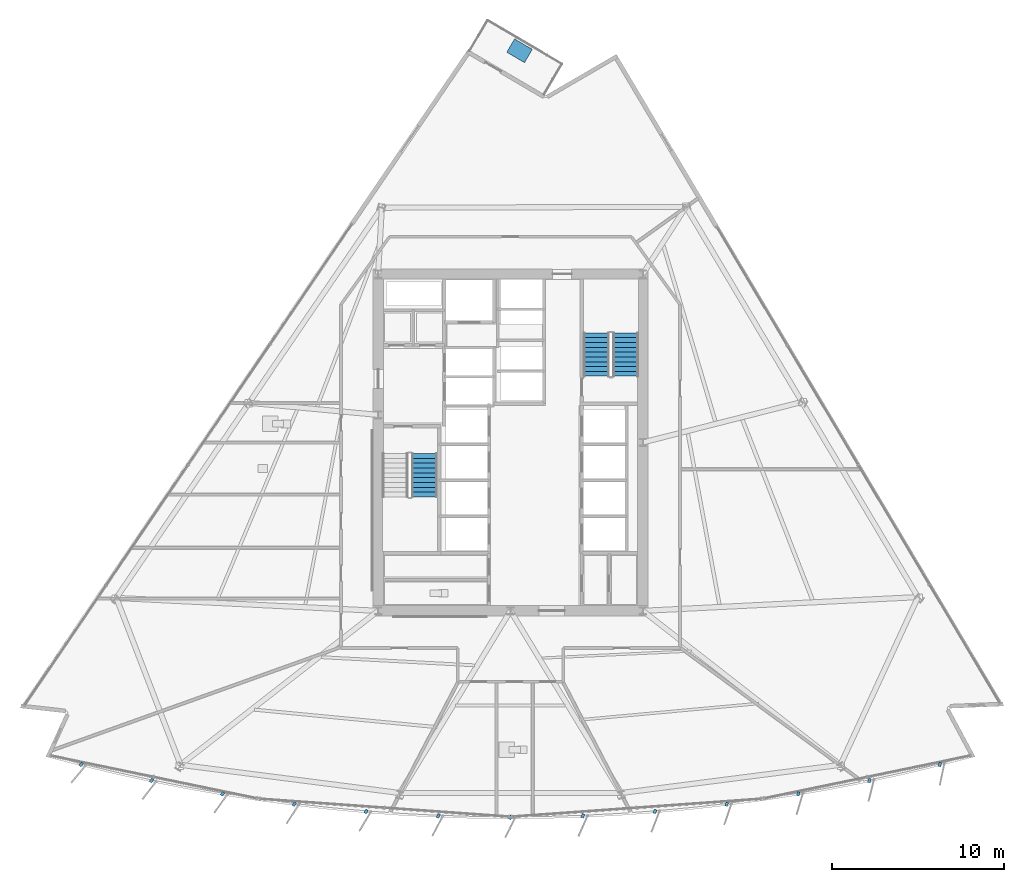
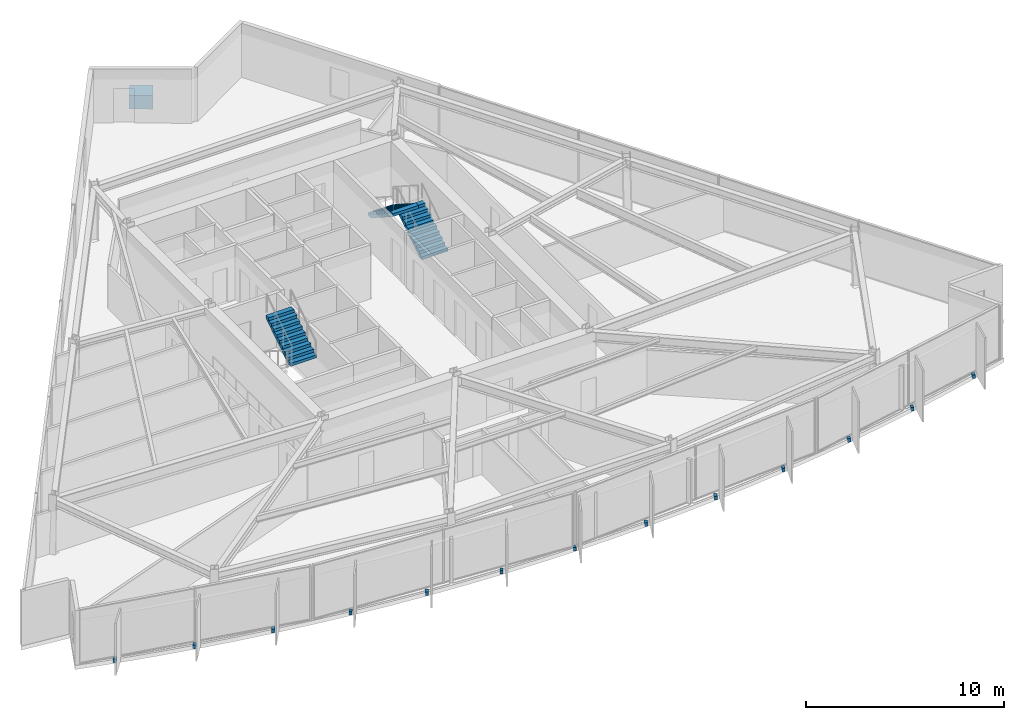
# One storey, part 10 of 15: 14 discrete accessories, 3 stair flights, 2 elements without a shape of their own.
"""IFC4 building model written with IfcOpenShell, lengths in metres."""

from ifc_helpers import new_model, si_unit, direction, frame, origin, origin_2d, place, context, subcontext, project, spatial, polyline, rectangle, outline, extrude, material, type_object, element, aggregate, save


model = new_model("IFC4")

# Units and contexts
model_context = context("Model", 3, precision=1e-05, world=origin(), true_north=direction((0.0, 1.0)))
body_context = subcontext(model_context, "Body", "Model", "MODEL_VIEW")
ifc_project = project(units=[si_unit("LENGTHUNIT", "METRE"), si_unit("AREAUNIT", "SQUARE_METRE"), si_unit("VOLUMEUNIT", "CUBIC_METRE"), si_unit("PLANEANGLEUNIT", "RADIAN"), si_unit("MASSUNIT", "GRAM", prefix="KILO")], contexts=[model_context])

# Site, building, storey
site_placement = place(None, origin())
site = spatial("IfcSite", under=ifc_project, at=site_placement, CompositionType="ELEMENT")
building_placement = place(site_placement, origin())
building = spatial("IfcBuilding", under=site, at=building_placement, Name="Savorim Split Tower", CompositionType="ELEMENT")
storey_placement = place(building_placement, frame((0.0, 0.0, 82.5)))
storey = spatial("IfcBuildingStorey", under=building, at=storey_placement, Name="L21", CompositionType="ELEMENT", Elevation=82.5)

# Stair, stair flight
ifc_material_1 = material(Name="Concrete C50/60", Category="concrete")
stair_type = type_object("IfcStairType", Name="STR-DOG-3600", PredefinedType="HALF_TURN_STAIR", material=ifc_material_1)
stair_1_placement = place(storey_placement, origin())
stair_1 = element("IfcStair", 1, at=stair_1_placement, inside=storey, type_object=stair_type, Name="L21 Core Protected Exit Stair ST-1", PredefinedType="HALF_TURN_STAIR")
stair_flight_type = type_object("IfcStairFlightType", Name="SFL-DOG-3600", PredefinedType="STRAIGHT", material=ifc_material_1)
stair_flight_1_placement = place(storey_placement, frame((-5.0, -2.77001953125, 1.800048828125), z_axis=(0.0, 0.0, 1.0), x_axis=(0.0, 1.0, 0.0)))
stair_flight_1 = element("IfcStairFlight", 2, at=stair_flight_1_placement, type_object=stair_flight_type, Name="ST-1 flight 2", NumberOfRisers=10, NumberOfTreads=9, PredefinedType="STRAIGHT", RiserHeight=0.18, TreadLength=0.28, context=body_context, shape_type="SweptSolid", body=[
    extrude(outline(polyline([(0.0, 0.0), (0.0, 0.179931640625), (0.280029296875, 0.179931640625), (0.280029296875, 0.360107421875), (0.56005859375, 0.360107421875), (0.56005859375, 0.5400390625), (0.840087890625, 0.5400390625), (0.840087890625, 0.719970703125), (1.1201171875, 0.719970703125), (1.1201171875, 0.89990234375), (1.39990234375, 0.89990234375), (1.39990234375, 1.080078125), (1.679931640625, 1.080078125), (1.679931640625, 1.260009765625), (1.9599609375, 1.260009765625), (1.9599609375, 1.43994140625), (2.239990234375, 1.43994140625), (2.239990234375, 1.6201171875), (2.52001953125, 1.6201171875), (2.52001953125, 1.800048828125), (2.52001953125, 1.44189453125), (0.277099609375, 0.0), (0.0, 0.0)])), frame((0.0, 0.75, 0.0), z_axis=(0.0, -1.0, 0.0), x_axis=(1.0, 0.0, 0.0)), (0.0, 0.0, 1.0), 1.5),
])
aggregate(stair_1, [stair_flight_1])

# Stair, stair flights
stair_2_placement = place(storey_placement, origin())
stair_2 = element("IfcStair", 3, at=stair_2_placement, inside=storey, type_object=stair_type, Name="L21 Core Protected Exit Stair ST-2", PredefinedType="HALF_TURN_STAIR")
stair_flight_2_placement = place(storey_placement, frame((6.699951171875, 4.25, 0.0), z_axis=(0.0, 0.0, 1.0), x_axis=(0.0, 1.0, 0.0)))
stair_flight_2 = element("IfcStairFlight", 4, at=stair_flight_2_placement, type_object=stair_flight_type, Name="ST-2 flight 1", NumberOfRisers=10, NumberOfTreads=9, PredefinedType="STRAIGHT", RiserHeight=0.18, TreadLength=0.28, context=body_context, shape_type="SweptSolid", body=[
    extrude(outline(polyline([(0.0, 0.0), (0.0, 0.179931640625), (0.280029296875, 0.179931640625), (0.280029296875, 0.360107421875), (0.56005859375, 0.360107421875), (0.56005859375, 0.5400390625), (0.840087890625, 0.5400390625), (0.840087890625, 0.719970703125), (1.1201171875, 0.719970703125), (1.1201171875, 0.89990234375), (1.39990234375, 0.89990234375), (1.39990234375, 1.080078125), (1.679931640625, 1.080078125), (1.679931640625, 1.260009765625), (1.9599609375, 1.260009765625), (1.9599609375, 1.43994140625), (2.239990234375, 1.43994140625), (2.239990234375, 1.6201171875), (2.52001953125, 1.6201171875), (2.52001953125, 1.800048828125), (2.52001953125, 1.44189453125), (0.277099609375, 0.0), (0.0, 0.0)])), frame((0.0, 0.75, 0.0), z_axis=(0.0, -1.0, 0.0), x_axis=(1.0, 0.0, 0.0)), (0.0, 0.0, 1.0), 1.5),
])
stair_flight_3_placement = place(storey_placement, frame((5.0, 6.77001953125, 1.800048828125), z_axis=(0.0, 0.0, 1.0), x_axis=(0.0, -1.0, 0.0)))
stair_flight_3 = element("IfcStairFlight", 5, at=stair_flight_3_placement, type_object=stair_flight_type, Name="ST-2 flight 2", NumberOfRisers=10, NumberOfTreads=9, PredefinedType="STRAIGHT", RiserHeight=0.18, TreadLength=0.28, context=body_context, shape_type="SweptSolid", body=[
    extrude(outline(polyline([(0.0, 0.0), (0.0, 0.179931640625), (0.280029296875, 0.179931640625), (0.280029296875, 0.360107421875), (0.56005859375, 0.360107421875), (0.56005859375, 0.5400390625), (0.840087890625, 0.5400390625), (0.840087890625, 0.719970703125), (1.1201171875, 0.719970703125), (1.1201171875, 0.89990234375), (1.39990234375, 0.89990234375), (1.39990234375, 1.080078125), (1.679931640625, 1.080078125), (1.679931640625, 1.260009765625), (1.9599609375, 1.260009765625), (1.9599609375, 1.43994140625), (2.239990234375, 1.43994140625), (2.239990234375, 1.6201171875), (2.52001953125, 1.6201171875), (2.52001953125, 1.800048828125), (2.52001953125, 1.44189453125), (0.277099609375, 0.0), (0.0, 0.0)])), frame((0.0, 0.75, 0.0), z_axis=(0.0, -1.0, 0.0), x_axis=(1.0, 0.0, 0.0)), (0.0, 0.0, 1.0), 1.5),
])
aggregate(stair_2, [stair_flight_2, stair_flight_3])

# Discrete accessories
ifc_material_2 = material(Name="Steel S355", Category="steel")
discrete_accessory_type_1 = type_object("IfcDiscreteAccessoryType", Name="ACC-BRK-FIN", PredefinedType="BRACKET", material=ifc_material_2)
for number, where, z_axis, x_axis, name in (
    (6, (-24.9814453125, -18.338134765625, -0.18994140625), (0.0, 0.0, 1.0), (-0.643719022682, -0.765261928909, 0.0), "L21 Fin Slab-Edge Cleat Bracket 01"),
    (7, (-20.882080078125, -19.276611328125, -0.18994140625), (0.0, 0.0, 1.0), (-0.611868076908, -0.790959832394, 0.0), "L21 Fin Slab-Edge Cleat Bracket 02"),
    (8, (-16.747802734375, -20.046875, -0.18994140625), (0.0, 0.0, 1.0), (-0.578993757737, -0.815331974414, 0.0), "L21 Fin Slab-Edge Cleat Bracket 03"),
    (9, (-12.58544921875, -20.647216796875, -0.18994140625), (0.0, 0.0, 1.0), (-0.545148321708, -0.838339613366, 0.0), "L21 Fin Slab-Edge Cleat Bracket 04"),
    (10, (-8.402099609375, -21.07666015625, -0.18994140625), (0.0, 0.0, 1.0), (-0.510391336723, -0.859942255851, 0.0), "L21 Fin Slab-Edge Cleat Bracket 05"),
    (11, (-4.20458984375, -21.334716796875, -0.18994140625), (0.0, 0.0, 1.0), (-0.474778051978, -0.880105562623, 0.0), "L21 Fin Slab-Edge Cleat Bracket 06"),
    (12, (0.0, -21.4208984375, -0.18994140625), (0.0, 0.0, 1.0), (-0.438371146789, -0.898794046299, 0.0), "L21 Fin Slab-Edge Cleat Bracket 07"),
    (13, (4.20458984375, -21.334716796875, -0.18994140625), (0.0, 0.0, 1.0), (-0.401230091723, -0.915977299662, 0.0), "L21 Fin Slab-Edge Cleat Bracket 08"),
    (14, (8.402099609375, -21.07666015625, -0.18994140625), (0.0, 0.0, 1.0), (-0.363415461732, -0.931627179817, 0.0), "L21 Fin Slab-Edge Cleat Bracket 09"),
    (15, (12.58544921875, -20.647216796875, -0.18994140625), (0.0, 0.0, 1.0), (-0.324993810493, -0.945716143005, 0.0), "L21 Fin Slab-Edge Cleat Bracket 10"),
    (16, (16.747802734375, -20.046875, -0.18994140625), (0.0, 0.0, 1.0), (-0.286026212504, -0.958221793616, 0.0), "L21 Fin Slab-Edge Cleat Bracket 11"),
    (17, (20.882080078125, -19.276611328125, -0.18994140625), (0.0, 0.0, 1.0), (-0.246581250663, -0.969122121727, 0.0), "L21 Fin Slab-Edge Cleat Bracket 12"),
    (18, (24.9814453125, -18.338134765625, -0.18994140625), (0.0, 0.0, 1.0), (-0.206721626106, -0.978399800337, 0.0), "L21 Fin Slab-Edge Cleat Bracket 13"),
):
    element("IfcDiscreteAccessory", number, at=place(storey_placement, frame(where, z_axis=z_axis, x_axis=x_axis)), inside=storey, type_object=discrete_accessory_type_1, Name=name, PredefinedType="BRACKET", context=body_context, shape_type="SweptSolid", body=[
        extrude(rectangle(XDim=0.239990234375, YDim=0.159912109375, at=origin_2d()), origin(), (0.0, 0.0, 1.0), 0.219970703125),
    ])
ifc_material_3 = material(Name="Architectural Precast Planter Concrete C40/50", Category="concrete")
discrete_accessory_type_2 = type_object("IfcDiscreteAccessoryType", Name="ACC-PLN-TREE", PredefinedType="USERDEFINED", material=ifc_material_3)
discrete_accessory_placement = place(storey_placement, frame((0.526611328125, 23.18408203125, 0.0), z_axis=(0.0, 0.0, 1.0), x_axis=(-0.862122155817, 0.506700491858, 0.0)))
element("IfcDiscreteAccessory", 19, at=discrete_accessory_placement, inside=storey, type_object=discrete_accessory_type_2, Name="L21 Balcony Precast Tree Planter N", ObjectType="PLANTER", PredefinedType="USERDEFINED", context=body_context, shape_type="SweptSolid", body=[
    extrude(rectangle(XDim=1.199951171875, YDim=0.89990234375, at=origin_2d()), origin(), (0.0, 0.0, 1.0), 0.85009765625),
])

save(model, "model.ifc")
